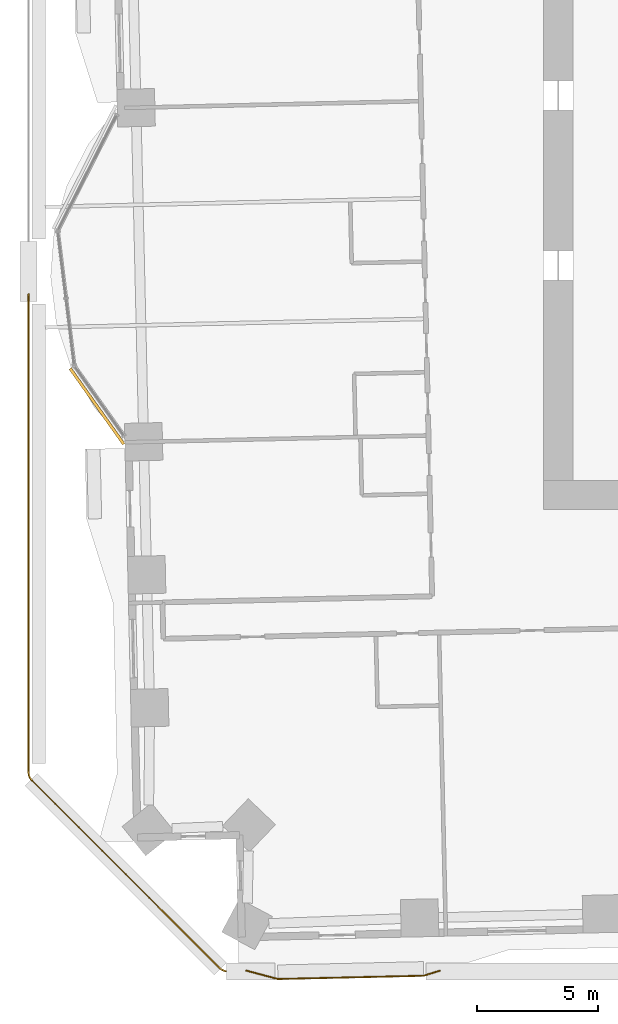
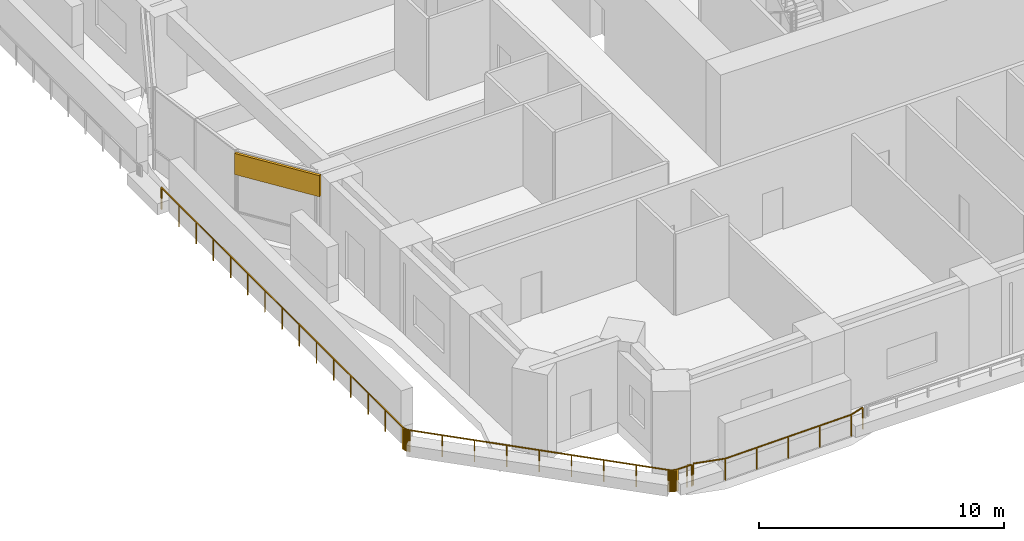
# One storey, part 18 of 21: 2 railings, 1 covering.
"""IFC4 building model written with IfcOpenShell, lengths in metres."""

from ifc_helpers import new_model, si_unit, direction, frame, frame_2d, origin, origin_2d, place, context, subcontext, project, spatial, rectangle, extrude, material, layer, layer_set, type_object, element, save


model = new_model("IFC4")

# Units and contexts
model_context = context("Model", 3, precision=1e-05, world=origin(), true_north=direction((0.0, 1.0)))
body_context = subcontext(model_context, "Body", "Model", "MODEL_VIEW")
ifc_project = project(units=[si_unit("LENGTHUNIT", "METRE"), si_unit("AREAUNIT", "SQUARE_METRE"), si_unit("VOLUMEUNIT", "CUBIC_METRE"), si_unit("PLANEANGLEUNIT", "RADIAN"), si_unit("MASSUNIT", "GRAM", prefix="KILO")], contexts=[model_context])

# Site, building, storey
site_placement = place(None, origin())
site = spatial("IfcSite", under=ifc_project, at=site_placement, CompositionType="ELEMENT")
building_placement = place(site_placement, origin())
building = spatial("IfcBuilding", under=site, at=building_placement, Name="Mangrove Gate Tower", CompositionType="ELEMENT")
storey_placement = place(building_placement, frame((0.0, 0.0, 29.5)))
storey = spatial("IfcBuildingStorey", under=building, at=storey_placement, Name="L06", CompositionType="ELEMENT", Elevation=29.5)

# Railings
ifc_material_1 = material(Name="Stainless steel grade 316 with laminated glass infill", Category="steel")
railing_type = type_object("IfcRailingType", Name="Balcony guard 1100", PredefinedType="GUARDRAIL", material=ifc_material_1)
railing_1_placement = place(storey_placement, frame((-27.2451171875, -30.964111328125, 0.0)))
element("IfcRailing", 1, at=railing_1_placement, inside=storey, type_object=railing_type, Name="GUARD L06 S1", PredefinedType="GUARDRAIL", context=body_context, shape_type="SweptSolid", body=[
    extrude(rectangle(XDim=0.048095703125, YDim=0.048095703125, at=origin_2d()), frame((0.0, 0.0, 1.076171875), z_axis=(0.966237923746, -0.257651459756, 0.0), x_axis=(0.257651459756, 0.966237923746, 0.0)), (0.0, 0.0, 1.0), 1.35791015625),
    extrude(rectangle(XDim=0.048095703125, YDim=0.048095703125, at=origin_2d()), frame((1.31201171875, -0.349853515625, 1.076171875), z_axis=(0.999743094499, 0.022665943652, 0.0), x_axis=(-0.022665943652, 0.999743094499, 0.0)), (0.0, 0.0, 1.0), 5.99951171875),
    extrude(rectangle(XDim=0.048095703125, YDim=0.048095703125, at=origin_2d()), frame((7.31005859375, -0.2138671875, 1.076171875), z_axis=(0.953752344328, 0.300593522366, 0.0), x_axis=(-0.300593522366, 0.953752344328, 0.0)), (0.0, 0.0, 1.0), 0.6953125),
    extrude(rectangle(XDim=0.0419921875, YDim=0.0419921875, at=origin_2d()), origin(), (0.0, 0.0, 1.0), 1.052001953125),
    extrude(rectangle(XDim=0.0419921875, YDim=0.0419921875, at=origin_2d()), frame((1.31201171875, -0.349853515625, 0.0)), (0.0, 0.0, 1.0), 1.052001953125),
    extrude(rectangle(XDim=0.0419921875, YDim=0.0419921875, at=origin_2d()), frame((2.8115234375, -0.31591796875, 0.0)), (0.0, 0.0, 1.0), 1.052001953125),
    extrude(rectangle(XDim=0.0419921875, YDim=0.0419921875, at=origin_2d()), frame((4.31103515625, -0.28173828125, 0.0)), (0.0, 0.0, 1.0), 1.052001953125),
    extrude(rectangle(XDim=0.0419921875, YDim=0.0419921875, at=origin_2d()), frame((5.810546875, -0.247802734375, 0.0)), (0.0, 0.0, 1.0), 1.052001953125),
    extrude(rectangle(XDim=0.0419921875, YDim=0.0419921875, at=origin_2d()), frame((7.31005859375, -0.2138671875, 0.0)), (0.0, 0.0, 1.0), 1.052001953125),
    extrude(rectangle(XDim=0.0419921875, YDim=0.0419921875, at=origin_2d()), frame((7.97314453125, -0.0048828125, 0.0)), (0.0, 0.0, 1.0), 1.052001953125),
])
railing_2_placement = place(storey_placement, frame((-27.52587890625, -30.949951171875, 0.0)))
element("IfcRailing", 2, at=railing_2_placement, inside=storey, type_object=railing_type, Name="GUARD L06 T1.1", PredefinedType="GUARDRAIL", context=body_context, shape_type="SweptSolid", body=[
    extrude(rectangle(XDim=0.048095703125, YDim=0.048095703125, at=origin_2d()), frame((0.0, 0.0, 1.076171875), z_axis=(0.966339008862, -0.257272073788, 0.0), x_axis=(0.257272073788, 0.966339008862, 0.0)), (0.0, 0.0, 1.0), 0.194580078125),
    extrude(rectangle(XDim=0.048095703125, YDim=0.048095703125, at=origin_2d()), frame((0.18798828125, -0.050048828125, 1.076171875), z_axis=(-1.0, 0.0, 0.0), x_axis=(0.0, -1.0, 0.0)), (0.0, 0.0, 1.0), 0.655029296875),
    extrude(rectangle(XDim=0.048095703125, YDim=0.048095703125, at=origin_2d()), frame((-0.467041015625, -0.050048828125, 1.076171875), z_axis=(-0.999208880195, 0.039769507669, 0.0), x_axis=(-0.039769507669, -0.999208880195, 0.0)), (0.0, 0.0, 1.0), 0.049072265625),
    extrude(rectangle(XDim=0.048095703125, YDim=0.048095703125, at=origin_2d()), frame((-0.51611328125, -0.048095703125, 1.076171875), z_axis=(-0.986258281976, 0.165210778199, 0.0), x_axis=(-0.165210778199, -0.986258281976, 0.0)), (0.0, 0.0, 1.0), 0.048828125),
    extrude(rectangle(XDim=0.048095703125, YDim=0.048095703125, at=origin_2d()), frame((-0.564208984375, -0.0400390625, 1.076171875), z_axis=(-0.970142500145, 0.242535625036, 0.0), x_axis=(-0.242535625036, -0.970142500145, 0.0)), (0.0, 0.0, 1.0), 0.04931640625),
    extrude(rectangle(XDim=0.048095703125, YDim=0.048095703125, at=origin_2d()), frame((-0.612060546875, -0.028076171875, 1.076171875), z_axis=(-0.944091748578, 0.329682832837, 0.0), x_axis=(-0.329682832837, -0.944091748578, 0.0)), (0.0, 0.0, 1.0), 0.048828125),
    extrude(rectangle(XDim=0.048095703125, YDim=0.048095703125, at=origin_2d()), frame((-0.658203125, -0.011962890625, 1.076171875), z_axis=(-0.9059314119, 0.423424464258, 0.0), x_axis=(-0.423424464258, -0.9059314119, 0.0)), (0.0, 0.0, 1.0), 0.049560546875),
    extrude(rectangle(XDim=0.048095703125, YDim=0.048095703125, at=origin_2d()), frame((-0.703125, 0.009033203125, 1.076171875), z_axis=(-0.860129029032, 0.510076517217, 0.0), x_axis=(-0.510076517217, -0.860129029032, 0.0)), (0.0, 0.0, 1.0), 0.048828125),
    extrude(rectangle(XDim=0.048095703125, YDim=0.048095703125, at=origin_2d()), frame((-0.7451171875, 0.033935546875, 1.076171875), z_axis=(-0.802400763796, 0.596785568073, 0.0), x_axis=(-0.596785568073, -0.802400763796, 0.0)), (0.0, 0.0, 1.0), 0.048583984375),
    extrude(rectangle(XDim=0.048095703125, YDim=0.048095703125, at=origin_2d()), frame((-0.7841796875, 0.06298828125, 1.076171875), z_axis=(-0.736529888428, 0.676404999577, 0.0), x_axis=(-0.676404999577, -0.736529888428, 0.0)), (0.0, 0.0, 1.0), 0.048828125),
    extrude(rectangle(XDim=0.048095703125, YDim=0.048095703125, at=origin_2d()), frame((-0.820068359375, 0.095947265625, 1.076171875), z_axis=(-0.707106781187, 0.707106781187, 0.0), x_axis=(-0.707106781187, -0.707106781187, 0.0)), (0.0, 0.0, 1.0), 10.90087890625),
    extrude(rectangle(XDim=0.048095703125, YDim=0.048095703125, at=origin_2d()), frame((-8.528076171875, 7.803955078125, 1.076171875), z_axis=(-0.676404999577, 0.736529888428, 0.0), x_axis=(-0.736529888428, -0.676404999577, 0.0)), (0.0, 0.0, 1.0), 0.048828125),
    extrude(rectangle(XDim=0.048095703125, YDim=0.048095703125, at=origin_2d()), frame((-8.56103515625, 7.83984375, 1.076171875), z_axis=(-0.596785568073, 0.802400763796, 0.0), x_axis=(-0.802400763796, -0.596785568073, 0.0)), (0.0, 0.0, 1.0), 0.048583984375),
    extrude(rectangle(XDim=0.048095703125, YDim=0.048095703125, at=origin_2d()), frame((-8.590087890625, 7.87890625, 1.076171875), z_axis=(-0.513762040569, 0.85793272794, 0.0), x_axis=(-0.85793272794, -0.513762040569, 0.0)), (0.0, 0.0, 1.0), 0.048828125),
    extrude(rectangle(XDim=0.048095703125, YDim=0.048095703125, at=origin_2d()), frame((-8.615234375, 7.9208984375, 1.076171875), z_axis=(-0.42154330482, 0.906808271997, 0.0), x_axis=(-0.906808271997, -0.42154330482, 0.0)), (0.0, 0.0, 1.0), 0.0498046875),
    extrude(rectangle(XDim=0.048095703125, YDim=0.048095703125, at=origin_2d()), frame((-8.63623046875, 7.966064453125, 1.076171875), z_axis=(-0.326765215526, 0.945105546445, 0.0), x_axis=(-0.945105546445, -0.326765215526, 0.0)), (0.0, 0.0, 1.0), 0.048583984375),
    extrude(rectangle(XDim=0.048095703125, YDim=0.048095703125, at=origin_2d()), frame((-8.652099609375, 8.011962890625, 1.076171875), z_axis=(-0.241376381677, 0.970431575315, 0.0), x_axis=(-0.970431575315, -0.241376381677, 0.0)), (0.0, 0.0, 1.0), 0.049560546875),
    extrude(rectangle(XDim=0.048095703125, YDim=0.048095703125, at=origin_2d()), frame((-8.6640625, 8.06005859375, 1.076171875), z_axis=(-0.166030511863, 0.986120615914, 0.0), x_axis=(-0.986120615914, -0.166030511863, 0.0)), (0.0, 0.0, 1.0), 0.048583984375),
    extrude(rectangle(XDim=0.048095703125, YDim=0.048095703125, at=origin_2d()), frame((-8.672119140625, 8.10791015625, 1.076171875), z_axis=(-0.039769507669, 0.999208880195, 0.0), x_axis=(-0.999208880195, -0.039769507669, 0.0)), (0.0, 0.0, 1.0), 0.049072265625),
    extrude(rectangle(XDim=0.048095703125, YDim=0.048095703125, at=origin_2d()), frame((-8.674072265625, 8.156982421875, 1.076171875), z_axis=(0.0, 1.0, 0.0), x_axis=(-1.0, 0.0, 0.0)), (0.0, 0.0, 1.0), 19.60595703125),
    extrude(rectangle(XDim=0.048095703125, YDim=0.048095703125, at=origin_2d()), frame((-8.674072265625, 27.762939453125, 1.076171875), z_axis=(0.040575694108, 0.999176467421, 0.0), x_axis=(-0.999176467421, 0.040575694108, 0.0)), (0.0, 0.0, 1.0), 0.048095703125),
    extrude(rectangle(XDim=0.0419921875, YDim=0.0419921875, at=origin_2d()), origin(), (0.0, 0.0, 1.0), 1.052001953125),
    extrude(rectangle(XDim=0.0419921875, YDim=0.0419921875, at=origin_2d()), frame((0.18798828125, -0.050048828125, 0.0)), (0.0, 0.0, 1.0), 1.052001953125),
    extrude(rectangle(XDim=0.0419921875, YDim=0.0419921875, at=origin_2d()), frame((-0.467041015625, -0.050048828125, 0.0)), (0.0, 0.0, 1.0), 1.052001953125),
    extrude(rectangle(XDim=0.0419921875, YDim=0.0419921875, at=origin_2d()), frame((-0.51611328125, -0.048095703125, 0.0)), (0.0, 0.0, 1.0), 1.052001953125),
    extrude(rectangle(XDim=0.0419921875, YDim=0.0419921875, at=origin_2d()), frame((-0.564208984375, -0.0400390625, 0.0)), (0.0, 0.0, 1.0), 1.052001953125),
    extrude(rectangle(XDim=0.0419921875, YDim=0.0419921875, at=origin_2d()), frame((-0.612060546875, -0.028076171875, 0.0)), (0.0, 0.0, 1.0), 1.052001953125),
    extrude(rectangle(XDim=0.0419921875, YDim=0.0419921875, at=origin_2d()), frame((-0.658203125, -0.011962890625, 0.0)), (0.0, 0.0, 1.0), 1.052001953125),
    extrude(rectangle(XDim=0.0419921875, YDim=0.0419921875, at=origin_2d()), frame((-0.703125, 0.009033203125, 0.0)), (0.0, 0.0, 1.0), 1.052001953125),
    extrude(rectangle(XDim=0.0419921875, YDim=0.0419921875, at=origin_2d()), frame((-0.7451171875, 0.033935546875, 0.0)), (0.0, 0.0, 1.0), 1.052001953125),
    extrude(rectangle(XDim=0.0419921875, YDim=0.0419921875, at=origin_2d()), frame((-0.7841796875, 0.06298828125, 0.0)), (0.0, 0.0, 1.0), 1.052001953125),
    extrude(rectangle(XDim=0.0419921875, YDim=0.0419921875, at=origin_2d()), frame((-0.820068359375, 0.095947265625, 0.0)), (0.0, 0.0, 1.0), 1.052001953125),
    extrude(rectangle(XDim=0.0419921875, YDim=0.0419921875, at=origin_2d()), frame((-1.78369140625, 1.0595703125, 0.0)), (0.0, 0.0, 1.0), 1.052001953125),
    extrude(rectangle(XDim=0.0419921875, YDim=0.0419921875, at=origin_2d()), frame((-2.7470703125, 2.02294921875, 0.0)), (0.0, 0.0, 1.0), 1.052001953125),
    extrude(rectangle(XDim=0.0419921875, YDim=0.0419921875, at=origin_2d()), frame((-3.71044921875, 2.986328125, 0.0)), (0.0, 0.0, 1.0), 1.052001953125),
    extrude(rectangle(XDim=0.0419921875, YDim=0.0419921875, at=origin_2d()), frame((-4.674072265625, 3.949951171875, 0.0)), (0.0, 0.0, 1.0), 1.052001953125),
    extrude(rectangle(XDim=0.0419921875, YDim=0.0419921875, at=origin_2d()), frame((-5.6376953125, 4.91357421875, 0.0)), (0.0, 0.0, 1.0), 1.052001953125),
    extrude(rectangle(XDim=0.0419921875, YDim=0.0419921875, at=origin_2d()), frame((-6.60107421875, 5.876953125, 0.0)), (0.0, 0.0, 1.0), 1.052001953125),
    extrude(rectangle(XDim=0.0419921875, YDim=0.0419921875, at=origin_2d()), frame((-7.564453125, 6.84033203125, 0.0)), (0.0, 0.0, 1.0), 1.052001953125),
    extrude(rectangle(XDim=0.0419921875, YDim=0.0419921875, at=origin_2d()), frame((-8.528076171875, 7.803955078125, 0.0)), (0.0, 0.0, 1.0), 1.052001953125),
    extrude(rectangle(XDim=0.0419921875, YDim=0.0419921875, at=origin_2d()), frame((-8.56103515625, 7.83984375, 0.0)), (0.0, 0.0, 1.0), 1.052001953125),
    extrude(rectangle(XDim=0.0419921875, YDim=0.0419921875, at=origin_2d()), frame((-8.590087890625, 7.87890625, 0.0)), (0.0, 0.0, 1.0), 1.052001953125),
    extrude(rectangle(XDim=0.0419921875, YDim=0.0419921875, at=origin_2d()), frame((-8.615234375, 7.9208984375, 0.0)), (0.0, 0.0, 1.0), 1.052001953125),
    extrude(rectangle(XDim=0.0419921875, YDim=0.0419921875, at=origin_2d()), frame((-8.63623046875, 7.966064453125, 0.0)), (0.0, 0.0, 1.0), 1.052001953125),
    extrude(rectangle(XDim=0.0419921875, YDim=0.0419921875, at=origin_2d()), frame((-8.652099609375, 8.011962890625, 0.0)), (0.0, 0.0, 1.0), 1.052001953125),
    extrude(rectangle(XDim=0.0419921875, YDim=0.0419921875, at=origin_2d()), frame((-8.6640625, 8.06005859375, 0.0)), (0.0, 0.0, 1.0), 1.052001953125),
    extrude(rectangle(XDim=0.0419921875, YDim=0.0419921875, at=origin_2d()), frame((-8.672119140625, 8.10791015625, 0.0)), (0.0, 0.0, 1.0), 1.052001953125),
    extrude(rectangle(XDim=0.0419921875, YDim=0.0419921875, at=origin_2d()), frame((-8.674072265625, 8.156982421875, 0.0)), (0.0, 0.0, 1.0), 1.052001953125),
    extrude(rectangle(XDim=0.0419921875, YDim=0.0419921875, at=origin_2d()), frame((-8.674072265625, 9.557373046875, 0.0)), (0.0, 0.0, 1.0), 1.052001953125),
    extrude(rectangle(XDim=0.0419921875, YDim=0.0419921875, at=origin_2d()), frame((-8.674072265625, 10.957763671875, 0.0)), (0.0, 0.0, 1.0), 1.052001953125),
    extrude(rectangle(XDim=0.0419921875, YDim=0.0419921875, at=origin_2d()), frame((-8.674072265625, 12.358154296875, 0.0)), (0.0, 0.0, 1.0), 1.052001953125),
    extrude(rectangle(XDim=0.0419921875, YDim=0.0419921875, at=origin_2d()), frame((-8.674072265625, 13.7587890625, 0.0)), (0.0, 0.0, 1.0), 1.052001953125),
    extrude(rectangle(XDim=0.0419921875, YDim=0.0419921875, at=origin_2d()), frame((-8.674072265625, 15.1591796875, 0.0)), (0.0, 0.0, 1.0), 1.052001953125),
    extrude(rectangle(XDim=0.0419921875, YDim=0.0419921875, at=origin_2d()), frame((-8.674072265625, 16.5595703125, 0.0)), (0.0, 0.0, 1.0), 1.052001953125),
    extrude(rectangle(XDim=0.0419921875, YDim=0.0419921875, at=origin_2d()), frame((-8.674072265625, 17.9599609375, 0.0)), (0.0, 0.0, 1.0), 1.052001953125),
    extrude(rectangle(XDim=0.0419921875, YDim=0.0419921875, at=origin_2d()), frame((-8.674072265625, 19.3603515625, 0.0)), (0.0, 0.0, 1.0), 1.052001953125),
    extrude(rectangle(XDim=0.0419921875, YDim=0.0419921875, at=origin_2d()), frame((-8.674072265625, 20.7607421875, 0.0)), (0.0, 0.0, 1.0), 1.052001953125),
    extrude(rectangle(XDim=0.0419921875, YDim=0.0419921875, at=origin_2d()), frame((-8.674072265625, 22.1611328125, 0.0)), (0.0, 0.0, 1.0), 1.052001953125),
    extrude(rectangle(XDim=0.0419921875, YDim=0.0419921875, at=origin_2d()), frame((-8.674072265625, 23.561767578125, 0.0)), (0.0, 0.0, 1.0), 1.052001953125),
    extrude(rectangle(XDim=0.0419921875, YDim=0.0419921875, at=origin_2d()), frame((-8.674072265625, 24.962158203125, 0.0)), (0.0, 0.0, 1.0), 1.052001953125),
    extrude(rectangle(XDim=0.0419921875, YDim=0.0419921875, at=origin_2d()), frame((-8.674072265625, 26.362548828125, 0.0)), (0.0, 0.0, 1.0), 1.052001953125),
    extrude(rectangle(XDim=0.0419921875, YDim=0.0419921875, at=origin_2d()), frame((-8.674072265625, 27.762939453125, 0.0)), (0.0, 0.0, 1.0), 1.052001953125),
    extrude(rectangle(XDim=0.0419921875, YDim=0.0419921875, at=origin_2d()), frame((-8.672119140625, 27.81103515625, 0.0)), (0.0, 0.0, 1.0), 1.052001953125),
])

# Covering
ifc_material_2 = material(Name="Limestone", Category="masonry")
ifc_layer_1 = layer(ifc_material_2, 0.0400390625, Name="Limestone cladding")
ifc_material_3 = material(Name="Stainless steel anchors and cavity", Category="steel")
ifc_layer_2 = layer(ifc_material_3, 0.080078125, Name="Fixing cavity")
ifc_layer_set = layer_set([ifc_layer_1, ifc_layer_2], Name="Joint fascia cladding 120")
covering_type = type_object("IfcCoveringType", Name="Joint fascia cladding 120", PredefinedType="CLADDING", material=ifc_layer_set)
covering_placement = place(storey_placement, frame((-34.486083984375, -6.18701171875, 3.0), z_axis=(0.0, 0.0, 1.0), x_axis=(0.578168098379, -0.815917673553, 0.0)))
element("IfcCovering", 3, at=covering_placement, inside=storey, type_object=covering_type, Name="STONE FASCIA L06 W9.L2", PredefinedType="CLADDING", context=body_context, shape_type="SweptSolid", body=[
    extrude(rectangle(XDim=3.819091796875, YDim=0.1201171875, at=frame_2d((1.90966796875, 0.0))), origin(), (0.0, 0.0, 1.0), 1.050048828125),
])

save(model, "model.ifc")
